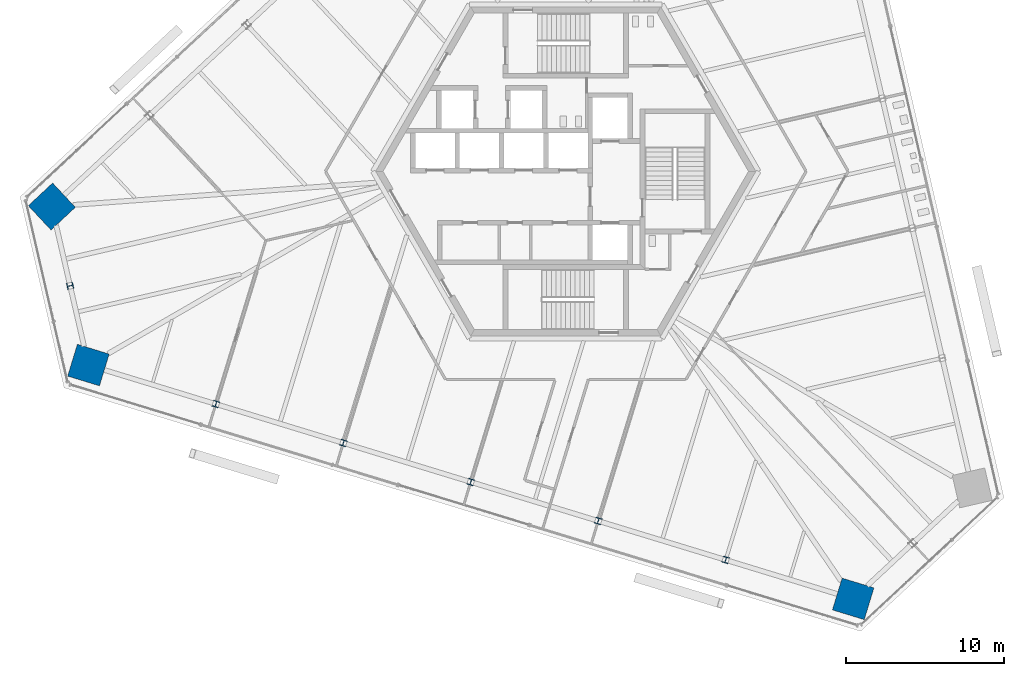
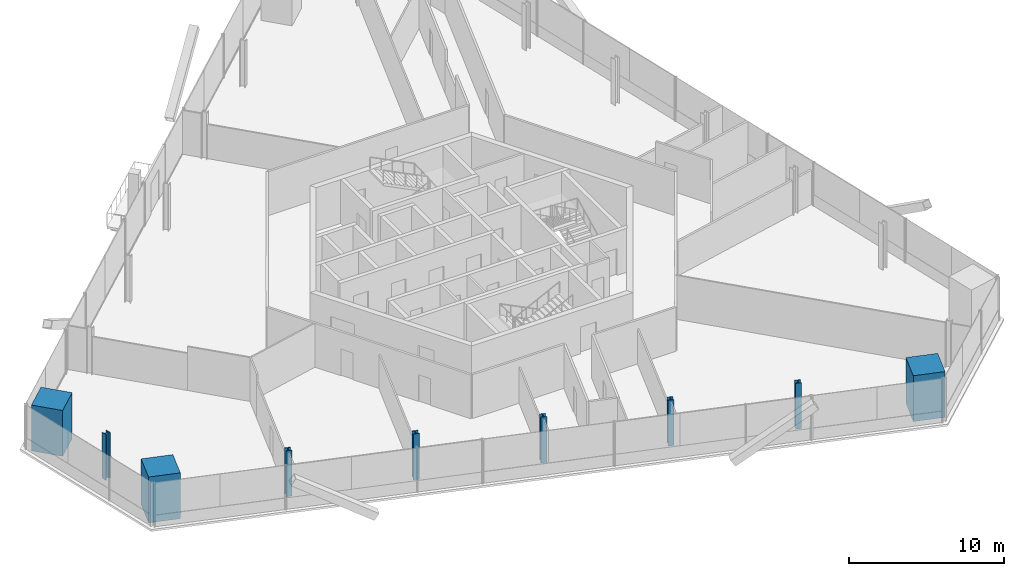
# One storey, part 1 of 17: 9 columns.
"""IFC4 building model written with IfcOpenShell, lengths in metres."""

from ifc_helpers import new_model, si_unit, direction, frame, origin, origin_2d, place, context, subcontext, project, spatial, rectangle, i_section, extrude, source, transform, mapped, material, material_profile, profile_set, type_object, element, save


model = new_model("IFC4")

# Units and contexts
model_context = context("Model", 3, precision=1e-05, world=origin(), true_north=direction((0.0, 1.0)))
body_context = subcontext(model_context, "Body", "Model", "MODEL_VIEW")
ifc_project = project(units=[si_unit("LENGTHUNIT", "METRE"), si_unit("AREAUNIT", "SQUARE_METRE"), si_unit("VOLUMEUNIT", "CUBIC_METRE"), si_unit("PLANEANGLEUNIT", "RADIAN"), si_unit("MASSUNIT", "GRAM", prefix="KILO")], contexts=[model_context])

# Site, building, storey
site_placement = place(None, origin())
site = spatial("IfcSite", under=ifc_project, at=site_placement, CompositionType="ELEMENT")
building_placement = place(site_placement, origin())
building = spatial("IfcBuilding", under=site, at=building_placement, Name="Triune Harvest Tower", CompositionType="ELEMENT")
storey_placement = place(building_placement, frame((0.0, 0.0, 123.5)))
storey = spatial("IfcBuildingStorey", under=building, at=storey_placement, Name="L31", CompositionType="ELEMENT", Elevation=123.5)

# Columns
ifc_material_1 = material(Name="Concrete 70 MPa", Category="concrete")
ifc_material_profile_1 = material_profile(ifc_material_1, rectangle(XDim=2.10009765625, YDim=2.10009765625, at=origin_2d()), Name="Composite 2100x2100")
ifc_profile_set_1 = profile_set([ifc_material_profile_1], Name="Concrete 70 MPa")
column_type_1 = type_object("IfcColumnType", Name="MC-3 Mega column Composite 2100x2100", PredefinedType="COLUMN", material=ifc_profile_set_1)
shared_shape_1 = source(origin(), body_context, "Body", "SweptSolid", [
    extrude(rectangle(XDim=2.10009765625, YDim=2.10009765625, at=origin_2d()), origin(), (0.0, 0.0, 1.0), 3.60009765625),
])
for number, where, z_axis, x_axis, name in (
    (1, (-32.446533203125, -2.218994140625, 0.0), (0.0, 0.0, 1.0), (-0.73135489193, -0.681997083608, 0.0), "col/L31/M14"),
    (2, (-30.135498046875, -12.22900390625, 0.0), (0.0, 0.0, 1.0), (0.956304755963, -0.292371704723, 0.0), "col/L31/M16"),
    (3, (18.14501953125, -26.989990234375, 0.0), (0.0, 0.0, 1.0), (0.956304755963, -0.292371704723, 0.0), "col/L31/M22"),
):
    element("IfcColumn", number, at=place(storey_placement, frame(where, z_axis=z_axis, x_axis=x_axis)), inside=storey, type_object=column_type_1, Name=name, PredefinedType="COLUMN", context=body_context, shape_type="MappedRepresentation", body=[
        mapped(shared_shape_1, transform((0.0, 0.0, 0.0), scale=1.0)),
    ])
ifc_material_2 = material(Name="Steel ASTM A992 Gr 50", Category="steel")
ifc_material_profile_2 = material_profile(ifc_material_2, i_section(OverallWidth=0.396240234375, OverallDepth=0.381103515625, WebThickness=0.01904296875, FlangeThickness=0.0302734375, at=origin_2d()), Name="W14x159")
ifc_profile_set_2 = profile_set([ifc_material_profile_2], Name="Steel ASTM A992 Gr 50")
column_type_2 = type_object("IfcColumnType", Name="PC-3 Perimeter column W14x159", PredefinedType="COLUMN", material=ifc_profile_set_2)
shared_shape_2 = source(origin(), body_context, "Body", "SweptSolid", [
    extrude(i_section(OverallWidth=0.396240234375, OverallDepth=0.381103515625, WebThickness=0.01904296875, FlangeThickness=0.0302734375, at=origin_2d()), origin(), (0.0, 0.0, 1.0), 3.60009765625),
])
for number, where, z_axis, x_axis, name in (
    (4, (-31.291015625, -7.22412109375, 0.0), (0.0, 0.0, 1.0), (0.224951054344, -0.974370064785, 0.0), "col/L31/P15"),
    (5, (-22.0888671875, -14.689208984375, 0.0), (0.0, 0.0, 1.0), (0.956304755963, -0.292371704723, 0.0), "col/L31/P17"),
    (6, (-14.0419921875, -17.1494140625, 0.0), (0.0, 0.0, 1.0), (0.956304755963, -0.292371704723, 0.0), "col/L31/P18"),
    (7, (-5.995361328125, -19.609619140625, 0.0), (0.0, 0.0, 1.0), (0.956304755963, -0.292371704723, 0.0), "col/L31/P19"),
    (8, (2.051513671875, -22.069580078125, 0.0), (0.0, 0.0, 1.0), (0.956304755963, -0.292371704723, 0.0), "col/L31/P20"),
    (9, (10.098388671875, -24.52978515625, 0.0), (0.0, 0.0, 1.0), (0.956304755963, -0.292371704723, 0.0), "col/L31/P21"),
):
    element("IfcColumn", number, at=place(storey_placement, frame(where, z_axis=z_axis, x_axis=x_axis)), inside=storey, type_object=column_type_2, Name=name, PredefinedType="COLUMN", context=body_context, shape_type="MappedRepresentation", body=[
        mapped(shared_shape_2, transform((0.0, 0.0, 0.0), scale=1.0)),
    ])

save(model, "model.ifc")
